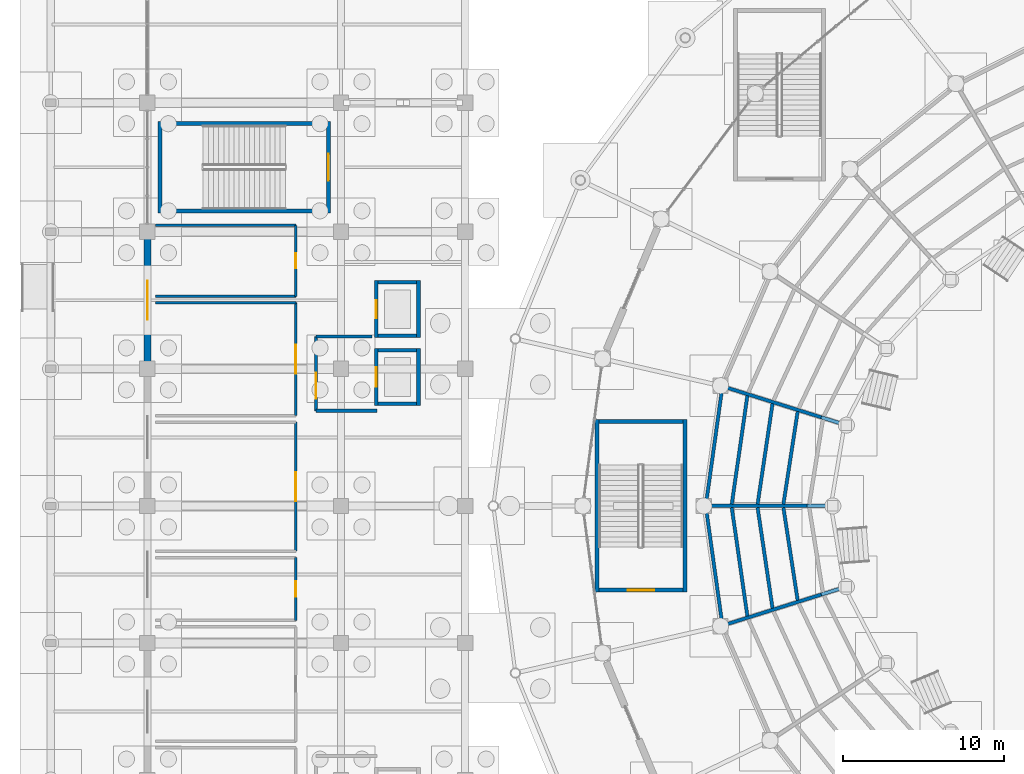
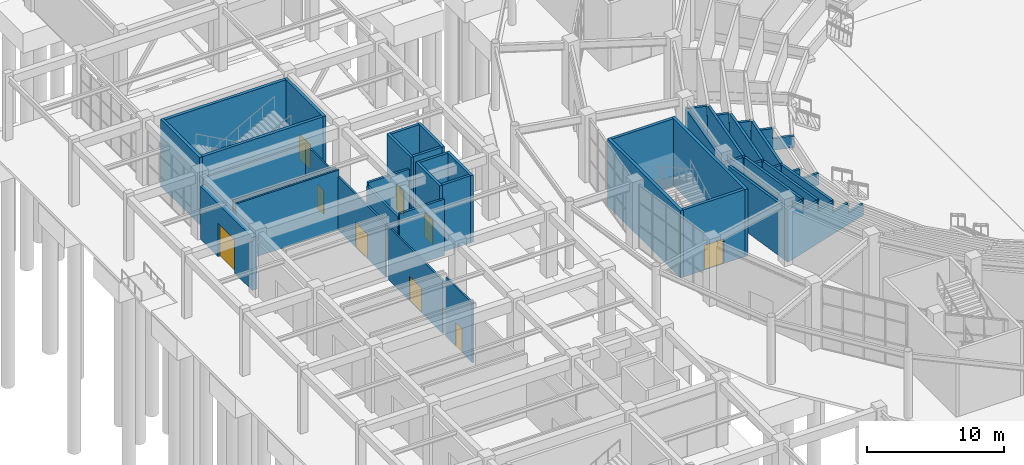
# One storey, part 86 of 121: 38 walls, 10 doors, 10 openings.
"""IFC4 building model written with IfcOpenShell, lengths in metres."""

from ifc_helpers import new_model, si_unit, direction, frame, frame_2d, origin, place, context, subcontext, project, spatial, polyline, rectangle, outline, extrude, material, layer, layer_set, type_object, element, fill, save


model = new_model("IFC4")

# Units and contexts
model_context = context("Model", 3, precision=1e-05, world=origin(), true_north=direction((0.0, 1.0)))
body_context = subcontext(model_context, "Body", "Model", "MODEL_VIEW")
ifc_project = project(units=[si_unit("LENGTHUNIT", "METRE"), si_unit("AREAUNIT", "SQUARE_METRE"), si_unit("VOLUMEUNIT", "CUBIC_METRE"), si_unit("PLANEANGLEUNIT", "RADIAN"), si_unit("MASSUNIT", "GRAM", prefix="KILO")], contexts=[model_context])

# Site, building, storey
site_placement = place(None, origin())
site = spatial("IfcSite", under=ifc_project, at=site_placement, CompositionType="ELEMENT")
building_placement = place(site_placement, origin())
building = spatial("IfcBuilding", under=site, at=building_placement, Name="Cuetzalor Civic Arena", CompositionType="ELEMENT")
storey_placement = place(building_placement, origin())
storey = spatial("IfcBuildingStorey", under=building, at=storey_placement, Name="L00", CompositionType="ELEMENT", Elevation=0.0)

# Wall, opening, door
ifc_material_1 = material(Name="Acoustic steel-stud gypsum partition", Category="steel")
ifc_layer_1 = layer(ifc_material_1, 0.14990234375)
ifc_layer_set_1 = layer_set([ifc_layer_1], Name="Acoustic steel-stud gypsum partition")
wall_type_1 = type_object("IfcWallType", Name="AcousticGypsumPartition_150", PredefinedType="PARTITIONING", material=ifc_layer_set_1)
wall_1_placement = place(storey_placement, frame((-66.800048828125, -3.199951171875, 0.0), z_axis=(0.0, 0.0, 1.0), x_axis=(0.0, -1.0, 0.0)))
wall_1 = element("IfcWall", 1, at=wall_1_placement, inside=storey, type_object=wall_type_1, Name="Interior Partition IWALL:L00:0099", PredefinedType="PARTITIONING", context=body_context, shape_type="SweptSolid", body=[
    extrude(rectangle(XDim=3.900146484375, YDim=0.14990234375, at=frame_2d((1.9501953125, 0.0))), origin(), (0.0, 0.0, 1.0), 5.320068359375),
])
opening_1_placement = place(wall_1_placement, frame((1.47509765625, 0.0, 0.0)))
opening_1 = element("IfcOpeningElement", 2, at=opening_1_placement, cuts=wall_1, Name="Opening ID-03", PredefinedType="OPENING", context=body_context, shape_type="SweptSolid", body=[
    extrude(rectangle(XDim=0.949951171875, YDim=2.14990234375, at=frame_2d((0.47509765625, 1.074951171875))), frame((0.0, 0.0849609375, 0.0), z_axis=(0.0, -1.0, 0.0), x_axis=(1.0, 0.0, 0.0)), (0.0, 0.0, 1.0), 0.169921875),
])
ifc_material_2 = material(Name="Painted steel frame and solid timber leaf", Category="steel")
door_type_1 = type_object("IfcDoorType", Name="InteriorSingleDoor_950x2150", OperationType="NOTDEFINED", PredefinedType="DOOR", material=ifc_material_2)
door_1_placement = place(opening_1_placement, origin())
door_1 = element("IfcDoor", 3, at=door_1_placement, inside=storey, type_object=door_type_1, Name="Door to Accessible WC West South L00", OperationType="SINGLE_SWING_RIGHT", OverallHeight=2.14990234375, OverallWidth=0.949951171875, PredefinedType="DOOR", context=body_context, shape_type="SweptSolid", body=[
    extrude(rectangle(XDim=0.949951171875, YDim=2.14990234375, at=frame_2d((0.47509765625, 1.074951171875))), frame((0.0, 0.02490234375, 0.0), z_axis=(0.0, -1.0, 0.0), x_axis=(1.0, 0.0, 0.0)), (0.0, 0.0, 1.0), 0.050048828125),
])
fill(opening_1, door_1)

wall_2_placement = place(storey_placement, frame((-66.800048828125, 5.199951171875, 0.0), z_axis=(0.0, 0.0, 1.0), x_axis=(0.0, -1.0, 0.0)))
wall_2 = element("IfcWall", 4, at=wall_2_placement, inside=storey, type_object=wall_type_1, Name="Interior Partition IWALL:L00:0102", PredefinedType="PARTITIONING", context=body_context, shape_type="SweptSolid", body=[
    extrude(rectangle(XDim=8.0, YDim=0.14990234375, at=frame_2d((4.0, 0.0))), origin(), (0.0, 0.0, 1.0), 4.72509765625),
])
opening_2_placement = place(wall_2_placement, frame((3.10009765625, 0.0, 0.0)))
opening_2 = element("IfcOpeningElement", 5, at=opening_2_placement, cuts=wall_2, Name="Opening ID-06", PredefinedType="OPENING", context=body_context, shape_type="SweptSolid", body=[
    extrude(rectangle(XDim=1.800048828125, YDim=2.199951171875, at=frame_2d((0.89990234375, 1.10009765625))), frame((0.0, 0.0849609375, 0.0), z_axis=(0.0, -1.0, 0.0), x_axis=(1.0, 0.0, 0.0)), (0.0, 0.0, 1.0), 0.169921875),
])
ifc_material_3 = material(Name="Glazed bronze acoustic double door", Category="metal")
door_type_2 = type_object("IfcDoorType", Name="PublicDoubleDoor_1800x2200", OperationType="DOUBLE_DOOR_SINGLE_SWING", PredefinedType="DOOR", material=ifc_material_3)
door_2_placement = place(opening_2_placement, origin())
door_2 = element("IfcDoor", 6, at=door_2_placement, inside=storey, type_object=door_type_2, Name="Door to Merchandising Pavilion West L00", OperationType="DOUBLE_DOOR_SINGLE_SWING", OverallHeight=2.199951171875, OverallWidth=1.800048828125, PredefinedType="DOOR", context=body_context, shape_type="SweptSolid", body=[
    extrude(rectangle(XDim=1.800048828125, YDim=2.199951171875, at=frame_2d((0.89990234375, 1.10009765625))), frame((0.0, 0.02490234375, 0.0), z_axis=(0.0, -1.0, 0.0), x_axis=(1.0, 0.0, 0.0)), (0.0, 0.0, 1.0), 0.050048828125),
])
fill(opening_2, door_2)

# Wall
wall_3_placement = place(storey_placement, frame((-75.5, 12.60009765625, 0.0), z_axis=(0.0, 0.0, 1.0), x_axis=(1.0, 0.0, 0.0)))
element("IfcWall", 7, at=wall_3_placement, inside=storey, type_object=wall_type_1, Name="Interior Partition IWALL:L00:0103", PredefinedType="PARTITIONING", context=body_context, shape_type="SweptSolid", body=[
    extrude(rectangle(XDim=8.699951171875, YDim=0.14990234375, at=frame_2d((4.35009765625, 0.0))), origin(), (0.0, 0.0, 1.0), 5.320068359375),
])

# Wall, opening, door
wall_4_placement = place(storey_placement, frame((-66.800048828125, 12.60009765625, 0.0), z_axis=(0.0, 0.0, 1.0), x_axis=(0.0, -1.0, 0.0)))
wall_4 = element("IfcWall", 8, at=wall_4_placement, inside=storey, type_object=wall_type_1, Name="Interior Partition IWALL:L00:0105", PredefinedType="PARTITIONING", context=body_context, shape_type="SweptSolid", body=[
    extrude(rectangle(XDim=7.0, YDim=0.14990234375, at=frame_2d((3.5, 0.0))), origin(), (0.0, 0.0, 1.0), 4.72509765625),
])
opening_3_placement = place(wall_4_placement, frame((2.60009765625, 0.0, 0.0)))
opening_3 = element("IfcOpeningElement", 9, at=opening_3_placement, cuts=wall_4, Name="Opening ID-06", PredefinedType="OPENING", context=body_context, shape_type="SweptSolid", body=[
    extrude(rectangle(XDim=1.800048828125, YDim=2.199951171875, at=frame_2d((0.89990234375, 1.10009765625))), frame((0.0, 0.0849609375, 0.0), z_axis=(0.0, -1.0, 0.0), x_axis=(1.0, 0.0, 0.0)), (0.0, 0.0, 1.0), 0.169921875),
])
door_3_placement = place(opening_3_placement, origin())
door_3 = element("IfcDoor", 10, at=door_3_placement, inside=storey, type_object=door_type_2, Name="Door to Concessions Hall West North L00", OperationType="DOUBLE_DOOR_SINGLE_SWING", OverallHeight=2.199951171875, OverallWidth=1.800048828125, PredefinedType="DOOR", context=body_context, shape_type="SweptSolid", body=[
    extrude(rectangle(XDim=1.800048828125, YDim=2.199951171875, at=frame_2d((0.89990234375, 1.10009765625))), frame((0.0, 0.02490234375, 0.0), z_axis=(0.0, -1.0, 0.0), x_axis=(1.0, 0.0, 0.0)), (0.0, 0.0, 1.0), 0.050048828125),
])
fill(opening_3, door_3)

# Walls
wall_5_placement = place(storey_placement, frame((-75.5, 17.39990234375, 0.0), z_axis=(0.0, 0.0, 1.0), x_axis=(1.0, 0.0, 0.0)))
element("IfcWall", 11, at=wall_5_placement, inside=storey, type_object=wall_type_1, Name="Interior Partition IWALL:L00:0106", PredefinedType="PARTITIONING", context=body_context, shape_type="SweptSolid", body=[
    extrude(rectangle(XDim=8.699951171875, YDim=0.14990234375, at=frame_2d((4.35009765625, 0.0))), origin(), (0.0, 0.0, 1.0), 4.72509765625),
])
wall_6_placement = place(storey_placement, frame((-66.800048828125, 13.0, 0.0), z_axis=(0.0, 0.0, 1.0), x_axis=(-1.0, 0.0, 0.0)))
element("IfcWall", 12, at=wall_6_placement, inside=storey, type_object=wall_type_1, Name="Interior Partition IWALL:L00:0107", PredefinedType="PARTITIONING", context=body_context, shape_type="SweptSolid", body=[
    extrude(rectangle(XDim=8.699951171875, YDim=0.14990234375, at=frame_2d((4.35009765625, 0.0))), origin(), (0.0, 0.0, 1.0), 5.320068359375),
])

# Wall, opening, door
wall_7_placement = place(storey_placement, frame((-66.800048828125, 17.39990234375, 0.0), z_axis=(0.0, 0.0, 1.0), x_axis=(0.0, -1.0, 0.0)))
wall_7 = element("IfcWall", 13, at=wall_7_placement, inside=storey, type_object=wall_type_1, Name="Interior Partition IWALL:L00:0108", PredefinedType="PARTITIONING", context=body_context, shape_type="SweptSolid", body=[
    extrude(rectangle(XDim=4.39990234375, YDim=0.14990234375, at=frame_2d((2.199951171875, 0.0))), origin(), (0.0, 0.0, 1.0), 4.72509765625),
])
opening_4_placement = place(wall_7_placement, frame((1.72509765625, 0.0, 0.0)))
opening_4 = element("IfcOpeningElement", 14, at=opening_4_placement, cuts=wall_7, Name="Opening ID-03", PredefinedType="OPENING", context=body_context, shape_type="SweptSolid", body=[
    extrude(rectangle(XDim=0.949951171875, YDim=2.14990234375, at=frame_2d((0.47509765625, 1.074951171875))), frame((0.0, 0.0849609375, 0.0), z_axis=(0.0, -1.0, 0.0), x_axis=(1.0, 0.0, 0.0)), (0.0, 0.0, 1.0), 0.169921875),
])
door_4_placement = place(opening_4_placement, origin())
door_4 = element("IfcDoor", 15, at=door_4_placement, inside=storey, type_object=door_type_1, Name="Door to Public Restroom West North L00", OperationType="SINGLE_SWING_LEFT", OverallHeight=2.14990234375, OverallWidth=0.949951171875, PredefinedType="DOOR", context=body_context, shape_type="SweptSolid", body=[
    extrude(rectangle(XDim=0.949951171875, YDim=2.14990234375, at=frame_2d((0.47509765625, 1.074951171875))), frame((0.0, 0.02490234375, 0.0), z_axis=(0.0, -1.0, 0.0), x_axis=(1.0, 0.0, 0.0)), (0.0, 0.0, 1.0), 0.050048828125),
])
fill(opening_4, door_4)

ifc_material_4 = material(Name="Puebla cantera gris stone on Concrete C35/45", Category="masonry")
ifc_layer_2 = layer(ifc_material_4, 0.419921875)
ifc_layer_set_2 = layer_set([ifc_layer_2], Name="Puebla cantera gris stone on Concrete C35/45")
wall_type_2 = type_object("IfcWallType", Name="CanteraStoneArcadeWall_420", PredefinedType="SOLIDWALL", material=ifc_layer_set_2)
wall_8_placement = place(storey_placement, frame((-76.0, 8.95703125, 0.0), z_axis=(0.0, 0.0, 1.0), x_axis=(0.0, 1.0, 0.0)))
wall_8 = element("IfcWall", 16, at=wall_8_placement, inside=storey, type_object=wall_type_2, Name="V4W Colonnade Entrance Wall L00-125", PredefinedType="SOLIDWALL", context=body_context, shape_type="SweptSolid", body=[
    extrude(rectangle(XDim=7.5859375, YDim=0.419921875, at=frame_2d((3.79296875, 0.0))), origin(), (0.0, 0.0, 1.0), 4.739990234375),
])
opening_5_placement = place(wall_8_placement, frame((2.593017578125, 0.0, 0.0)))
opening_5 = element("IfcOpeningElement", 17, at=opening_5_placement, cuts=wall_8, Name="Opening ED-01", PredefinedType="OPENING", context=body_context, shape_type="SweptSolid", body=[
    extrude(rectangle(XDim=2.39990234375, YDim=3.0, at=frame_2d((1.199951171875, 1.5))), frame((0.0, 0.219970703125, 0.0), z_axis=(0.0, -1.0, 0.0), x_axis=(1.0, 0.0, 0.0)), (0.0, 0.0, 1.0), 0.43994140625),
])
ifc_material_5 = material(Name="Thermally broken bronze steel and laminated glass", Category="steel")
door_type_3 = type_object("IfcDoorType", Name="MainColonnadeEntrance_2400x3000", OperationType="DOUBLE_DOOR_SINGLE_SWING", PredefinedType="DOOR", material=ifc_material_5)
door_5_placement = place(opening_5_placement, origin())
door_5 = element("IfcDoor", 18, at=door_5_placement, inside=storey, type_object=door_type_3, Name="Main entrance E11", OperationType="DOUBLE_DOOR_SINGLE_SWING", OverallHeight=3.0, OverallWidth=2.39990234375, PredefinedType="DOOR", context=body_context, shape_type="SweptSolid", body=[
    extrude(rectangle(XDim=2.39990234375, YDim=3.0, at=frame_2d((1.199951171875, 1.5))), frame((0.0, 0.02490234375, 0.0), z_axis=(0.0, -1.0, 0.0), x_axis=(1.0, 0.0, 0.0)), (0.0, 0.0, 1.0), 0.050048828125),
])
fill(opening_5, door_5)

# Walls
ifc_material_6 = material(Name="Concrete C40/50", Category="concrete")
ifc_layer_3 = layer(ifc_material_6, 0.25)
ifc_layer_set_3 = layer_set([ifc_layer_3], Name="Concrete C40/50")
wall_type_3 = type_object("IfcWallType", Name="ConcreteCoreShearWall_250", PredefinedType="SHEAR", material=ifc_layer_set_3)
wall_9_placement = place(storey_placement, frame((-48.125, -5.35009765625, 0.0), z_axis=(0.0, 0.0, 1.0), x_axis=(0.0, 1.0, 0.0)))
element("IfcWall", 19, at=wall_9_placement, inside=storey, type_object=wall_type_3, Name="Stair Core Shear Wall ST-05-L00-W", PredefinedType="SHEAR", context=body_context, shape_type="SweptSolid", body=[
    extrude(rectangle(XDim=10.7001953125, YDim=0.25, at=frame_2d((5.35009765625, 0.0))), origin(), (0.0, 0.0, 1.0), 6.0),
])
wall_10_placement = place(storey_placement, frame((-48.0, 5.22509765625, 0.0), z_axis=(0.0, 0.0, 1.0), x_axis=(1.0, 0.0, 0.0)))
element("IfcWall", 20, at=wall_10_placement, inside=storey, type_object=wall_type_3, Name="Stair Core Shear Wall ST-05-L00-N", PredefinedType="SHEAR", context=body_context, shape_type="SweptSolid", body=[
    extrude(rectangle(XDim=5.199951171875, YDim=0.25, at=frame_2d((2.60009765625, 0.0))), origin(), (0.0, 0.0, 1.0), 6.0),
])
wall_11_placement = place(storey_placement, frame((-42.675048828125, 5.35009765625, 0.0), z_axis=(0.0, 0.0, 1.0), x_axis=(0.0, -1.0, 0.0)))
element("IfcWall", 21, at=wall_11_placement, inside=storey, type_object=wall_type_3, Name="Stair Core Shear Wall ST-05-L00-E", PredefinedType="SHEAR", context=body_context, shape_type="SweptSolid", body=[
    extrude(rectangle(XDim=10.7001953125, YDim=0.25, at=frame_2d((5.35009765625, 0.0))), origin(), (0.0, 0.0, 1.0), 6.0),
])

# Wall, opening, door
wall_12_placement = place(storey_placement, frame((-42.800048828125, -5.22509765625, 0.0), z_axis=(0.0, 0.0, 1.0), x_axis=(-1.0, 0.0, 0.0)))
wall_12 = element("IfcWall", 22, at=wall_12_placement, inside=storey, type_object=wall_type_3, Name="Stair Core Shear Wall ST-05-L00-S", PredefinedType="SHEAR", context=body_context, shape_type="SweptSolid", body=[
    extrude(rectangle(XDim=5.199951171875, YDim=0.25, at=frame_2d((2.60009765625, 0.0))), origin(), (0.0, 0.0, 1.0), 6.0),
])
opening_6_placement = place(wall_12_placement, frame((1.77490234375, 0.0, 0.0)))
opening_6 = element("IfcOpeningElement", 23, at=opening_6_placement, cuts=wall_12, Name="Opening FD-04", PredefinedType="OPENING", context=body_context, shape_type="SweptSolid", body=[
    extrude(rectangle(XDim=1.64990234375, YDim=2.199951171875, at=frame_2d((0.824951171875, 1.10009765625))), frame((0.0, 0.135009765625, 0.0), z_axis=(0.0, -1.0, 0.0), x_axis=(1.0, 0.0, 0.0)), (0.0, 0.0, 1.0), 0.27001953125),
])
ifc_material_7 = material(Name="Fire-rated steel stair exit double door", Category="steel")
door_type_4 = type_object("IfcDoorType", Name="StairFireDoubleDoor_1650x2200", OperationType="DOUBLE_DOOR_SINGLE_SWING", PredefinedType="DOOR", material=ifc_material_7)
door_6_placement = place(opening_6_placement, origin())
door_6 = element("IfcDoor", 24, at=door_6_placement, inside=storey, type_object=door_type_4, Name="Fire Stair Door ST-05 L00", OperationType="DOUBLE_DOOR_SINGLE_SWING", OverallHeight=2.199951171875, OverallWidth=1.64990234375, PredefinedType="DOOR", context=body_context, shape_type="SweptSolid", body=[
    extrude(rectangle(XDim=1.64990234375, YDim=2.199951171875, at=frame_2d((0.824951171875, 1.10009765625))), frame((0.0, 0.02490234375, 0.0), z_axis=(0.0, -1.0, 0.0), x_axis=(1.0, 0.0, 0.0)), (0.0, 0.0, 1.0), 0.050048828125),
])
fill(opening_6, door_6)

# Walls
wall_13_placement = place(storey_placement, frame((-75.22509765625, 18.14990234375, 0.0), z_axis=(0.0, 0.0, 1.0), x_axis=(0.0, 1.0, 0.0)))
element("IfcWall", 25, at=wall_13_placement, inside=storey, type_object=wall_type_3, Name="Stair Core Shear Wall ST-17-L00-W", PredefinedType="SHEAR", context=body_context, shape_type="SweptSolid", body=[
    extrude(rectangle(XDim=5.7001953125, YDim=0.25, at=frame_2d((2.85009765625, 0.0))), origin(), (0.0, 0.0, 1.0), 6.0),
])
wall_14_placement = place(storey_placement, frame((-75.10009765625, 23.72509765625, 0.0), z_axis=(0.0, 0.0, 1.0), x_axis=(1.0, 0.0, 0.0)))
element("IfcWall", 26, at=wall_14_placement, inside=storey, type_object=wall_type_3, Name="Stair Core Shear Wall ST-17-L00-N", PredefinedType="SHEAR", context=body_context, shape_type="SweptSolid", body=[
    extrude(rectangle(XDim=10.2001953125, YDim=0.25, at=frame_2d((5.10009765625, 0.0))), origin(), (0.0, 0.0, 1.0), 6.0),
])

# Wall, opening, door
wall_15_placement = place(storey_placement, frame((-64.77490234375, 23.85009765625, 0.0), z_axis=(0.0, 0.0, 1.0), x_axis=(0.0, -1.0, 0.0)))
wall_15 = element("IfcWall", 27, at=wall_15_placement, inside=storey, type_object=wall_type_3, Name="Stair Core Shear Wall ST-17-L00-E", PredefinedType="SHEAR", context=body_context, shape_type="SweptSolid", body=[
    extrude(rectangle(XDim=5.7001953125, YDim=0.25, at=frame_2d((2.85009765625, 0.0))), origin(), (0.0, 0.0, 1.0), 6.0),
])
opening_7_placement = place(wall_15_placement, frame((2.02490234375, 0.0, 0.0)))
opening_7 = element("IfcOpeningElement", 28, at=opening_7_placement, cuts=wall_15, Name="Opening FD-04", PredefinedType="OPENING", context=body_context, shape_type="SweptSolid", body=[
    extrude(rectangle(XDim=1.64990234375, YDim=2.199951171875, at=frame_2d((0.824951171875, 1.10009765625))), frame((0.0, 0.135009765625, 0.0), z_axis=(0.0, -1.0, 0.0), x_axis=(1.0, 0.0, 0.0)), (0.0, 0.0, 1.0), 0.27001953125),
])
door_7_placement = place(opening_7_placement, origin())
door_7 = element("IfcDoor", 29, at=door_7_placement, inside=storey, type_object=door_type_4, Name="Fire Stair Door ST-17 L00", OperationType="DOUBLE_DOOR_SINGLE_SWING", OverallHeight=2.199951171875, OverallWidth=1.64990234375, PredefinedType="DOOR", context=body_context, shape_type="SweptSolid", body=[
    extrude(rectangle(XDim=1.64990234375, YDim=2.199951171875, at=frame_2d((0.824951171875, 1.10009765625))), frame((0.0, 0.02490234375, 0.0), z_axis=(0.0, -1.0, 0.0), x_axis=(1.0, 0.0, 0.0)), (0.0, 0.0, 1.0), 0.050048828125),
])
fill(opening_7, door_7)

# Wall
wall_16_placement = place(storey_placement, frame((-64.89990234375, 18.27490234375, 0.0), z_axis=(0.0, 0.0, 1.0), x_axis=(-1.0, 0.0, 0.0)))
element("IfcWall", 30, at=wall_16_placement, inside=storey, type_object=wall_type_3, Name="Stair Core Shear Wall ST-17-L00-S", PredefinedType="SHEAR", context=body_context, shape_type="SweptSolid", body=[
    extrude(rectangle(XDim=10.2001953125, YDim=0.25, at=frame_2d((5.10009765625, 0.0))), origin(), (0.0, 0.0, 1.0), 6.0),
])

# Wall, opening, door
ifc_material_8 = material(Name="Fire-rated masonry and gypsum partition", Category="masonry")
ifc_layer_4 = layer(ifc_material_8, 0.199951171875)
ifc_layer_set_4 = layer_set([ifc_layer_4], Name="Fire-rated masonry and gypsum partition")
wall_type_4 = type_object("IfcWallType", Name="FireCompartmentWall_200", PredefinedType="PARTITIONING", material=ifc_layer_set_4)
wall_17_placement = place(storey_placement, frame((-65.550048828125, 5.89990234375, 0.0), z_axis=(0.0, 0.0, 1.0), x_axis=(0.0, 1.0, 0.0)))
wall_17 = element("IfcWall", 31, at=wall_17_placement, inside=storey, type_object=wall_type_4, Name="Interior Partition IWALL:L00:0019", PredefinedType="PARTITIONING", context=body_context, shape_type="SweptSolid", body=[
    extrude(rectangle(XDim=4.60009765625, YDim=0.199951171875, at=frame_2d((2.300048828125, 0.0))), origin(), (0.0, 0.0, 1.0), 4.72509765625),
])
opening_8_placement = place(wall_17_placement, frame((0.75, 0.0, 0.0)))
opening_8 = element("IfcOpeningElement", 32, at=opening_8_placement, cuts=wall_17, Name="Opening FD-05", PredefinedType="OPENING", context=body_context, shape_type="SweptSolid", body=[
    extrude(rectangle(XDim=1.60009765625, YDim=2.199951171875, at=frame_2d((0.800048828125, 1.10009765625))), frame((0.0, 0.10986328125, 0.0), z_axis=(0.0, -1.0, 0.0), x_axis=(1.0, 0.0, 0.0)), (0.0, 0.0, 1.0), 0.219970703125),
])
ifc_material_9 = material(Name="Fire-rated smoke-seal lobby double door", Category="steel")
door_type_5 = type_object("IfcDoorType", Name="FireLobbyDoubleDoor_1600x2200", OperationType="DOUBLE_DOOR_SINGLE_SWING", PredefinedType="DOOR", material=ifc_material_9)
door_8_placement = place(opening_8_placement, origin())
door_8 = element("IfcDoor", 33, at=door_8_placement, inside=storey, type_object=door_type_5, Name="Door to Firefighting Lift Lobby LF-02 L00", OperationType="DOUBLE_DOOR_SINGLE_SWING", OverallHeight=2.199951171875, OverallWidth=1.60009765625, PredefinedType="DOOR", context=body_context, shape_type="SweptSolid", body=[
    extrude(rectangle(XDim=1.60009765625, YDim=2.199951171875, at=frame_2d((0.800048828125, 1.10009765625))), frame((0.0, 0.02490234375, 0.0), z_axis=(0.0, -1.0, 0.0), x_axis=(1.0, 0.0, 0.0)), (0.0, 0.0, 1.0), 0.050048828125),
])
fill(opening_8, door_8)

# Walls
wall_18_placement = place(storey_placement, frame((-65.550048828125, 10.5, 0.0), z_axis=(0.0, 0.0, 1.0), x_axis=(1.0, 0.0, 0.0)))
element("IfcWall", 34, at=wall_18_placement, inside=storey, type_object=wall_type_4, Name="Interior Partition IWALL:L00:0020", PredefinedType="PARTITIONING", context=body_context, shape_type="SweptSolid", body=[
    extrude(rectangle(XDim=3.47998046875, YDim=0.199951171875, at=frame_2d((1.739990234375, 0.0))), origin(), (0.0, 0.0, 1.0), 5.02490234375),
])
wall_19_placement = place(storey_placement, frame((-61.75, 5.89990234375, 0.0), z_axis=(0.0, 0.0, 1.0), x_axis=(-1.0, 0.0, 0.0)))
element("IfcWall", 35, at=wall_19_placement, inside=storey, type_object=wall_type_4, Name="Interior Partition IWALL:L00:0021", PredefinedType="PARTITIONING", context=body_context, shape_type="SweptSolid", body=[
    extrude(rectangle(XDim=3.800048828125, YDim=0.199951171875, at=frame_2d((1.89990234375, 0.0))), origin(), (0.0, 0.0, 1.0), 5.02490234375),
])

# Wall, opening, door
ifc_material_10 = material(Name="Concrete C40/50", Category="concrete")
ifc_layer_5 = layer(ifc_material_10, 0.219970703125)
ifc_layer_set_5 = layer_set([ifc_layer_5], Name="Concrete C40/50")
wall_type_5 = type_object("IfcWallType", Name="LiftShaftShearWall_220", PredefinedType="SHEAR", material=ifc_layer_set_5)
wall_20_placement = place(storey_placement, frame((-61.81005859375, 6.22998046875, 0.0), z_axis=(0.0, 0.0, 1.0), x_axis=(0.0, 1.0, 0.0)))
wall_20 = element("IfcWall", 36, at=wall_20_placement, inside=storey, type_object=wall_type_5, Name="Lift Shaft Wall LF-02-L00-W", PredefinedType="SHEAR", context=body_context, shape_type="SweptSolid", body=[
    extrude(rectangle(XDim=3.5400390625, YDim=0.219970703125, at=frame_2d((1.77001953125, 0.0))), origin(), (0.0, 0.0, 1.0), 6.0),
])
opening_9_placement = place(wall_20_placement, frame((1.169921875, 0.0, 0.0)))
opening_9 = element("IfcOpeningElement", 37, at=opening_9_placement, cuts=wall_20, Name="Opening LD-02", PredefinedType="OPENING", context=body_context, shape_type="SweptSolid", body=[
    extrude(rectangle(XDim=1.199951171875, YDim=2.199951171875, at=frame_2d((0.60009765625, 1.10009765625))), frame((0.0, 0.1201171875, 0.0), z_axis=(0.0, -1.0, 0.0), x_axis=(1.0, 0.0, 0.0)), (0.0, 0.0, 1.0), 0.239990234375),
])
ifc_material_11 = material(Name="Fire-rated stainless steel sliding lift landing door", Category="steel")
door_type_6 = type_object("IfcDoorType", Name="LiftLandingSlidingDoor_1200x2200", OperationType="SLIDING_TO_LEFT", PredefinedType="DOOR", material=ifc_material_11)
door_9_placement = place(opening_9_placement, origin())
door_9 = element("IfcDoor", 38, at=door_9_placement, inside=storey, type_object=door_type_6, Name="Lift Landing Sliding Door LF-02 L00", OperationType="SLIDING_TO_LEFT", OverallHeight=2.199951171875, OverallWidth=1.199951171875, PredefinedType="DOOR", context=body_context, shape_type="SweptSolid", body=[
    extrude(rectangle(XDim=1.199951171875, YDim=2.199951171875, at=frame_2d((0.60009765625, 1.10009765625))), frame((0.0, 0.02490234375, 0.0), z_axis=(0.0, -1.0, 0.0), x_axis=(1.0, 0.0, 0.0)), (0.0, 0.0, 1.0), 0.050048828125),
])
fill(opening_9, door_9)

# Walls
wall_21_placement = place(storey_placement, frame((-61.699951171875, 9.659912109375, 0.0), z_axis=(0.0, 0.0, 1.0), x_axis=(1.0, 0.0, 0.0)))
element("IfcWall", 39, at=wall_21_placement, inside=storey, type_object=wall_type_5, Name="Lift Shaft Wall LF-02-L00-N", PredefinedType="SHEAR", context=body_context, shape_type="SweptSolid", body=[
    extrude(rectangle(XDim=2.39990234375, YDim=0.219970703125, at=frame_2d((1.199951171875, 0.0))), origin(), (0.0, 0.0, 1.0), 6.0),
])
wall_22_placement = place(storey_placement, frame((-59.18994140625, 9.77001953125, 0.0), z_axis=(0.0, 0.0, 1.0), x_axis=(0.0, -1.0, 0.0)))
element("IfcWall", 40, at=wall_22_placement, inside=storey, type_object=wall_type_5, Name="Lift Shaft Wall LF-02-L00-E", PredefinedType="SHEAR", context=body_context, shape_type="SweptSolid", body=[
    extrude(rectangle(XDim=3.5400390625, YDim=0.219970703125, at=frame_2d((1.77001953125, 0.0))), origin(), (0.0, 0.0, 1.0), 6.0),
])
wall_23_placement = place(storey_placement, frame((-59.300048828125, 6.340087890625, 0.0), z_axis=(0.0, 0.0, 1.0), x_axis=(-1.0, 0.0, 0.0)))
element("IfcWall", 41, at=wall_23_placement, inside=storey, type_object=wall_type_5, Name="Lift Shaft Wall LF-02-L00-S", PredefinedType="SHEAR", context=body_context, shape_type="SweptSolid", body=[
    extrude(rectangle(XDim=2.39990234375, YDim=0.219970703125, at=frame_2d((1.199951171875, 0.0))), origin(), (0.0, 0.0, 1.0), 6.0),
])

# Wall, opening, door
wall_24_placement = place(storey_placement, frame((-61.81005859375, 10.429931640625, 0.0), z_axis=(0.0, 0.0, 1.0), x_axis=(0.0, 1.0, 0.0)))
wall_24 = element("IfcWall", 42, at=wall_24_placement, inside=storey, type_object=wall_type_5, Name="Lift Shaft Wall LP-04-L00-W", PredefinedType="SHEAR", context=body_context, shape_type="SweptSolid", body=[
    extrude(rectangle(XDim=3.5400390625, YDim=0.219970703125, at=frame_2d((1.77001953125, 0.0))), origin(), (0.0, 0.0, 1.0), 6.0),
])
opening_10_placement = place(wall_24_placement, frame((1.219970703125, 0.0, 0.0)))
opening_10 = element("IfcOpeningElement", 43, at=opening_10_placement, cuts=wall_24, Name="Opening LD-01", PredefinedType="OPENING", context=body_context, shape_type="SweptSolid", body=[
    extrude(rectangle(XDim=1.10009765625, YDim=2.199951171875, at=frame_2d((0.550048828125, 1.10009765625))), frame((0.0, 0.1201171875, 0.0), z_axis=(0.0, -1.0, 0.0), x_axis=(1.0, 0.0, 0.0)), (0.0, 0.0, 1.0), 0.239990234375),
])
ifc_material_12 = material(Name="Brushed stainless steel sliding lift landing door", Category="steel")
door_type_7 = type_object("IfcDoorType", Name="LiftLandingSlidingDoor_1100x2200", OperationType="SLIDING_TO_LEFT", PredefinedType="DOOR", material=ifc_material_12)
door_10_placement = place(opening_10_placement, origin())
door_10 = element("IfcDoor", 44, at=door_10_placement, inside=storey, type_object=door_type_7, Name="Lift Landing Sliding Door LP-04 L00", OperationType="SLIDING_TO_LEFT", OverallHeight=2.199951171875, OverallWidth=1.10009765625, PredefinedType="DOOR", context=body_context, shape_type="SweptSolid", body=[
    extrude(rectangle(XDim=1.10009765625, YDim=2.199951171875, at=frame_2d((0.550048828125, 1.10009765625))), frame((0.0, 0.02490234375, 0.0), z_axis=(0.0, -1.0, 0.0), x_axis=(1.0, 0.0, 0.0)), (0.0, 0.0, 1.0), 0.050048828125),
])
fill(opening_10, door_10)

# Walls
wall_25_placement = place(storey_placement, frame((-61.699951171875, 13.860107421875, 0.0), z_axis=(0.0, 0.0, 1.0), x_axis=(1.0, 0.0, 0.0)))
element("IfcWall", 45, at=wall_25_placement, inside=storey, type_object=wall_type_5, Name="Lift Shaft Wall LP-04-L00-N", PredefinedType="SHEAR", context=body_context, shape_type="SweptSolid", body=[
    extrude(rectangle(XDim=2.39990234375, YDim=0.219970703125, at=frame_2d((1.199951171875, 0.0))), origin(), (0.0, 0.0, 1.0), 6.0),
])
wall_26_placement = place(storey_placement, frame((-59.18994140625, 13.969970703125, 0.0), z_axis=(0.0, 0.0, 1.0), x_axis=(0.0, -1.0, 0.0)))
element("IfcWall", 46, at=wall_26_placement, inside=storey, type_object=wall_type_5, Name="Lift Shaft Wall LP-04-L00-E", PredefinedType="SHEAR", context=body_context, shape_type="SweptSolid", body=[
    extrude(rectangle(XDim=3.5400390625, YDim=0.219970703125, at=frame_2d((1.77001953125, 0.0))), origin(), (0.0, 0.0, 1.0), 6.0),
])
wall_27_placement = place(storey_placement, frame((-59.300048828125, 10.5400390625, 0.0), z_axis=(0.0, 0.0, 1.0), x_axis=(-1.0, 0.0, 0.0)))
element("IfcWall", 47, at=wall_27_placement, inside=storey, type_object=wall_type_5, Name="Lift Shaft Wall LP-04-L00-S", PredefinedType="SHEAR", context=body_context, shape_type="SweptSolid", body=[
    extrude(rectangle(XDim=2.39990234375, YDim=0.219970703125, at=frame_2d((1.199951171875, 0.0))), origin(), (0.0, 0.0, 1.0), 6.0),
])
ifc_material_13 = material(Name="Precast concrete C40/50", Category="concrete")
ifc_layer_6 = layer(ifc_material_13, 0.2099609375)
ifc_layer_set_6 = layer_set([ifc_layer_6], Name="Precast concrete C40/50")
wall_type_6 = type_object("IfcWallType", Name="PrecastBowlRiserWall_210", PredefinedType="SHEAR", material=ifc_layer_set_6)
wall_28_placement = place(storey_placement, frame((-32.66015625, 5.006591796875, 0.0), z_axis=(0.0, 0.0, 1.0), x_axis=(-0.954106169475, 0.299468558233, 0.0)))
element("IfcWall", 48, at=wall_28_placement, inside=storey, type_object=wall_type_6, Name="Lower Bowl Radial Carrier Wall S14", PredefinedType="SHEAR", context=body_context, shape_type="SweptSolid", body=[
    extrude(outline(polyline([(0.0, 0.0), (8.174560546875, 0.0), (8.174560546875, 4.699951171875), (6.549560546875, 4.699951171875), (6.53955078125, 3.780029296875), (4.914794921875, 3.780029296875), (4.90478515625, 2.860107421875), (3.27978515625, 2.860107421875), (3.269775390625, 1.93994140625), (1.64501953125, 1.93994140625), (1.635009765625, 1.02001953125), (0.0, 1.02001953125), (0.0, 0.0)])), frame((0.0, 0.10498046875, 0.0), z_axis=(0.0, -1.0, 0.0), x_axis=(1.0, 0.0, 0.0)), (0.0, 0.0, 1.0), 0.2099609375),
])
wall_29_placement = place(storey_placement, frame((-35.67919921875, 5.852294921875, 0.0), z_axis=(0.0, 0.0, 1.0), x_axis=(-0.152155014596, -0.988356641872, 0.0)))
element("IfcWall", 49, at=wall_29_placement, inside=storey, type_object=wall_type_6, Name="Lower Bowl Riser Support Wall S14-R2", PredefinedType="SHEAR", context=body_context, shape_type="SweptSolid", body=[
    extrude(rectangle(XDim=5.813232421875, YDim=0.2099609375, at=frame_2d((2.90673828125, 0.0))), origin(), (0.0, 0.0, 1.0), 2.860107421875),
])
wall_30_placement = place(storey_placement, frame((-37.238525390625, 6.341796875, 0.0), z_axis=(0.0, 0.0, 1.0), x_axis=(-0.146830796595, -0.989161623382, 0.0)))
element("IfcWall", 50, at=wall_30_placement, inside=storey, type_object=wall_type_6, Name="Lower Bowl Riser Support Wall S14-R3", PredefinedType="SHEAR", context=body_context, shape_type="SweptSolid", body=[
    extrude(rectangle(XDim=6.303466796875, YDim=0.2099609375, at=frame_2d((3.15185546875, 0.0))), origin(), (0.0, 0.0, 1.0), 3.780029296875),
])
wall_31_placement = place(storey_placement, frame((-38.798095703125, 6.831298828125, 0.0), z_axis=(0.0, 0.0, 1.0), x_axis=(-0.142276616276, -0.989826936621, 0.0)))
element("IfcWall", 51, at=wall_31_placement, inside=storey, type_object=wall_type_6, Name="Lower Bowl Riser Support Wall S14-R4", PredefinedType="SHEAR", context=body_context, shape_type="SweptSolid", body=[
    extrude(rectangle(XDim=6.79345703125, YDim=0.2099609375, at=frame_2d((3.396728515625, 0.0))), origin(), (0.0, 0.0, 1.0), 4.699951171875),
])
wall_32_placement = place(storey_placement, frame((-40.357421875, 7.32080078125, 0.0), z_axis=(0.0, 0.0, 1.0), x_axis=(-0.138328306296, -0.99038642947, 0.0)))
element("IfcWall", 52, at=wall_32_placement, inside=storey, type_object=wall_type_6, Name="Lower Bowl Riser Support Wall S14-R5", PredefinedType="SHEAR", context=body_context, shape_type="SweptSolid", body=[
    extrude(rectangle(XDim=7.283935546875, YDim=0.2099609375, at=frame_2d((3.64208984375, 0.0))), origin(), (0.0, 0.0, 1.0), 4.699951171875),
])
wall_33_placement = place(storey_placement, frame((-33.5, 0.0, 0.0), z_axis=(0.0, 0.0, 1.0), x_axis=(-1.0, 0.0, 0.0)))
element("IfcWall", 53, at=wall_33_placement, inside=storey, type_object=wall_type_6, Name="Lower Bowl Radial Carrier Wall S15", PredefinedType="SHEAR", context=body_context, shape_type="SweptSolid", body=[
    extrude(outline(polyline([(0.0, 0.0), (8.0, 0.0), (8.0, 4.699951171875), (6.409912109375, 4.699951171875), (6.39990234375, 3.780029296875), (4.81005859375, 3.780029296875), (4.800048828125, 2.860107421875), (3.2099609375, 2.860107421875), (3.199951171875, 1.93994140625), (1.610107421875, 1.93994140625), (1.60009765625, 1.02001953125), (0.0, 1.02001953125), (0.0, 0.0)])), frame((0.0, 0.10498046875, 0.0), z_axis=(0.0, -1.0, 0.0), x_axis=(1.0, 0.0, 0.0)), (0.0, 0.0, 1.0), 0.2099609375),
])
wall_34_placement = place(storey_placement, frame((-36.563720703125, -0.106689453125, 0.0), z_axis=(0.0, 0.0, 1.0), x_axis=(0.152155014596, -0.988356641872, 0.0)))
element("IfcWall", 54, at=wall_34_placement, inside=storey, type_object=wall_type_6, Name="Lower Bowl Riser Support Wall S15-R2", PredefinedType="SHEAR", context=body_context, shape_type="SweptSolid", body=[
    extrude(rectangle(XDim=5.813232421875, YDim=0.2099609375, at=frame_2d((2.90673828125, 0.0))), origin(), (0.0, 0.0, 1.0), 2.860107421875),
])
wall_35_placement = place(storey_placement, frame((-38.1640625, -0.106689453125, 0.0), z_axis=(0.0, 0.0, 1.0), x_axis=(0.146830796595, -0.989161623382, 0.0)))
element("IfcWall", 55, at=wall_35_placement, inside=storey, type_object=wall_type_6, Name="Lower Bowl Riser Support Wall S15-R3", PredefinedType="SHEAR", context=body_context, shape_type="SweptSolid", body=[
    extrude(rectangle(XDim=6.303466796875, YDim=0.2099609375, at=frame_2d((3.15185546875, 0.0))), origin(), (0.0, 0.0, 1.0), 3.780029296875),
])
wall_36_placement = place(storey_placement, frame((-39.7646484375, -0.10693359375, 0.0), z_axis=(0.0, 0.0, 1.0), x_axis=(0.142276616276, -0.989826936621, 0.0)))
element("IfcWall", 56, at=wall_36_placement, inside=storey, type_object=wall_type_6, Name="Lower Bowl Riser Support Wall S15-R4", PredefinedType="SHEAR", context=body_context, shape_type="SweptSolid", body=[
    extrude(rectangle(XDim=6.79345703125, YDim=0.2099609375, at=frame_2d((3.396728515625, 0.0))), origin(), (0.0, 0.0, 1.0), 4.699951171875),
])
wall_37_placement = place(storey_placement, frame((-41.364990234375, -0.10693359375, 0.0), z_axis=(0.0, 0.0, 1.0), x_axis=(0.138328306296, -0.99038642947, 0.0)))
element("IfcWall", 57, at=wall_37_placement, inside=storey, type_object=wall_type_6, Name="Lower Bowl Riser Support Wall S15-R5", PredefinedType="SHEAR", context=body_context, shape_type="SweptSolid", body=[
    extrude(rectangle(XDim=7.283935546875, YDim=0.2099609375, at=frame_2d((3.64208984375, 0.0))), origin(), (0.0, 0.0, 1.0), 4.699951171875),
])
wall_38_placement = place(storey_placement, frame((-32.66015625, -5.006591796875, 0.0), z_axis=(0.0, 0.0, 1.0), x_axis=(-0.954106169475, -0.299468558233, 0.0)))
element("IfcWall", 58, at=wall_38_placement, inside=storey, type_object=wall_type_6, Name="Lower Bowl Radial Carrier Wall S16", PredefinedType="SHEAR", context=body_context, shape_type="SweptSolid", body=[
    extrude(outline(polyline([(0.0, 0.0), (8.174560546875, 0.0), (8.174560546875, 4.699951171875), (6.549560546875, 4.699951171875), (6.53955078125, 3.780029296875), (4.914794921875, 3.780029296875), (4.90478515625, 2.860107421875), (3.27978515625, 2.860107421875), (3.269775390625, 1.93994140625), (1.64501953125, 1.93994140625), (1.635009765625, 1.02001953125), (0.0, 1.02001953125), (0.0, 0.0)])), frame((0.0, 0.10498046875, 0.0), z_axis=(0.0, -1.0, 0.0), x_axis=(1.0, 0.0, 0.0)), (0.0, 0.0, 1.0), 0.2099609375),
])

save(model, "model.ifc")
